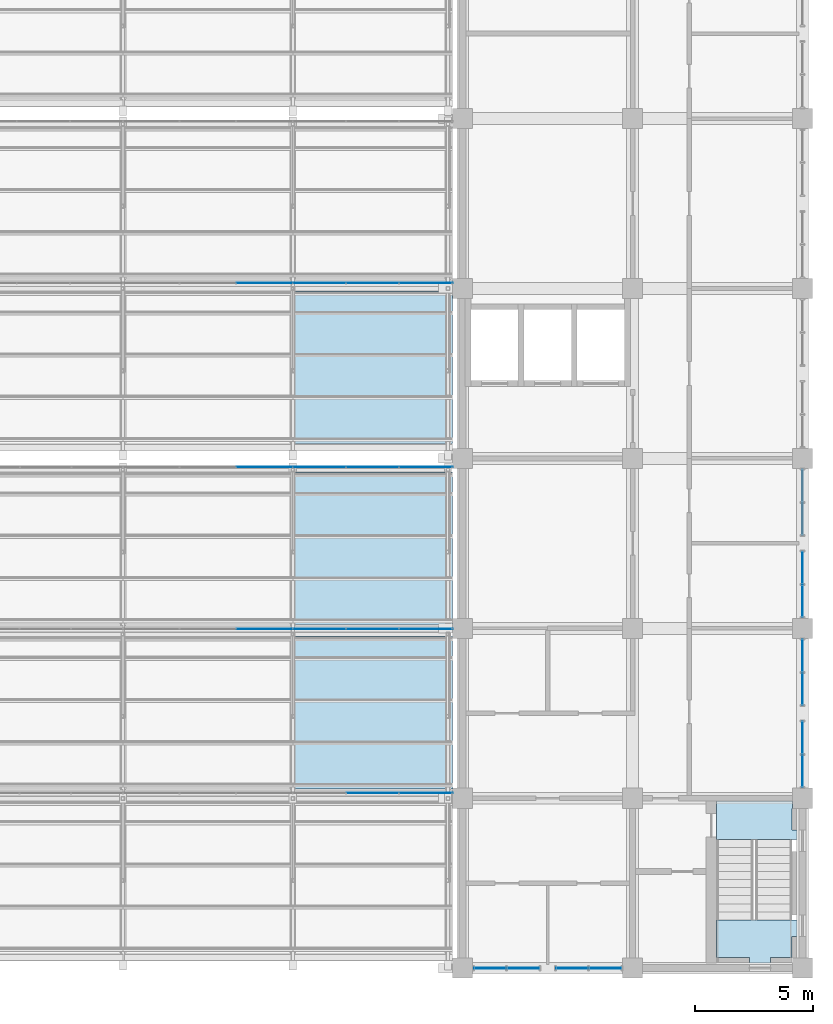
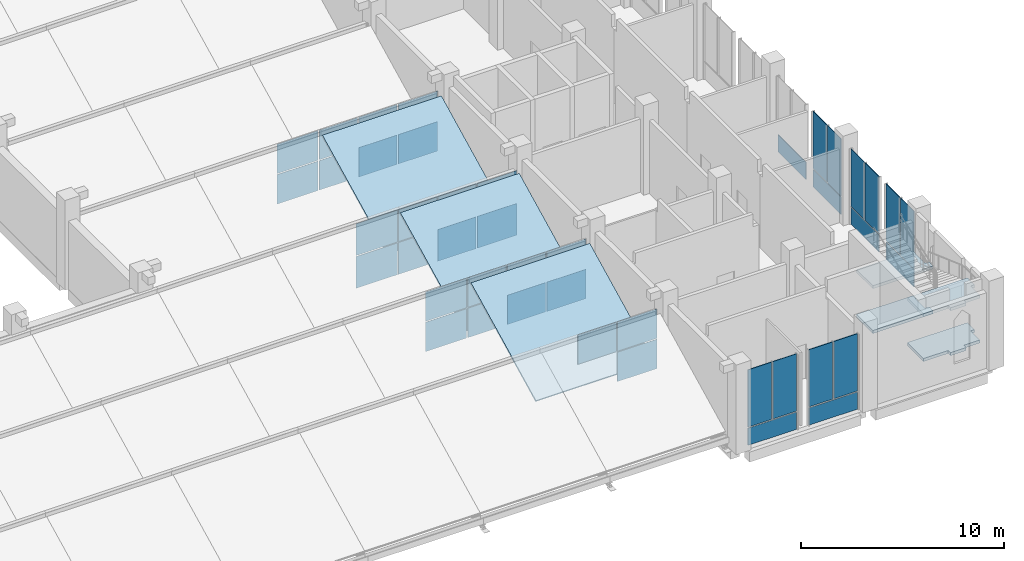
# One storey, part 66 of 83: 43 plates, 7 slabs, 14 elements without a shape of their own.
"""IFC4 building model written with IfcOpenShell, lengths in metres."""

from ifc_helpers import new_model, si_unit, direction, frame, origin, origin_2d, place, context, subcontext, project, spatial, polyline, rectangle, outline, extrude, material, layer, layer_set, type_object, element, aggregate, save


model = new_model("IFC4")

# Units and contexts
model_context = context("Model", 3, precision=1e-05, world=origin(), true_north=direction((0.0, 1.0)))
body_context = subcontext(model_context, "Body", "Model", "MODEL_VIEW")
ifc_project = project(units=[si_unit("LENGTHUNIT", "METRE"), si_unit("AREAUNIT", "SQUARE_METRE"), si_unit("VOLUMEUNIT", "CUBIC_METRE"), si_unit("PLANEANGLEUNIT", "RADIAN"), si_unit("MASSUNIT", "GRAM", prefix="KILO")], contexts=[model_context])

# Site, building, storey
site_placement = place(None, origin())
site = spatial("IfcSite", under=ifc_project, at=site_placement, CompositionType="ELEMENT")
building_placement = place(site_placement, origin())
building = spatial("IfcBuilding", under=site, at=building_placement, Name="Silangan Lancet Faculty of Sciences", CompositionType="ELEMENT")
storey_placement = place(building_placement, frame((0.0, 0.0, 11.39990234375)))
storey = spatial("IfcBuildingStorey", under=building, at=storey_placement, Name="L02", CompositionType="ELEMENT", Elevation=11.39990234375)

# Curtain wall, plates
ifc_material_1 = material(Name="Aluminium framed curtain wall with insulated glass", Category="aluminium")
curtain_wall_type_1 = type_object("IfcCurtainWallType", Name="CW1 Commons and east block glazing", PredefinedType="NOTDEFINED", material=ifc_material_1)
curtain_wall_1_placement = place(storey_placement, origin())
curtain_wall_1 = element("IfcCurtainWall", 1, at=curtain_wall_1_placement, inside=storey, type_object=curtain_wall_type_1, Name="CW1 East commons L02 bay 1", PredefinedType="NOTDEFINED")
ifc_material_2 = material(Name="Insulated glass unit 8+16+8 low-emissivity", Category="glass")
ifc_layer_1 = layer(ifc_material_2, 0.031982421875)
ifc_layer_set_1 = layer_set([ifc_layer_1], Name="Insulated glass unit 8+16+8 low-emissivity")
plate_type_1 = type_object("IfcPlateType", Name="CP1 Panel vision glass 32", PredefinedType="CURTAIN_PANEL", material=ifc_layer_set_1)
plate_1_placement = place(storey_placement, frame((86.39990234375, 8.358642578125, 1.10009765625), z_axis=(0.0, 0.0, 1.0), x_axis=(0.0, 1.0, 0.0)))
plate_1 = element("IfcPlate", 2, at=plate_1_placement, type_object=plate_type_1, Name="CW1 East commons L02 bay 1 panel 2", PredefinedType="CURTAIN_PANEL", context=body_context, shape_type="SweptSolid", body=[
    extrude(rectangle(XDim=1.347412109375, YDim=0.031982421875, at=origin_2d()), origin(), (0.0, 0.0, 1.0), 3.449951171875),
])
plate_2_placement = place(storey_placement, frame((86.39990234375, 9.766357421875, 1.10009765625), z_axis=(0.0, 0.0, 1.0), x_axis=(0.0, 1.0, 0.0)))
plate_2 = element("IfcPlate", 3, at=plate_2_placement, type_object=plate_type_1, Name="CW1 East commons L02 bay 1 panel 3", PredefinedType="CURTAIN_PANEL", context=body_context, shape_type="SweptSolid", body=[
    extrude(rectangle(XDim=1.347412109375, YDim=0.031982421875, at=origin_2d()), origin(), (0.0, 0.0, 1.0), 3.449951171875),
])

curtain_wall_2_placement = place(storey_placement, origin())
curtain_wall_2 = element("IfcCurtainWall", 4, at=curtain_wall_2_placement, inside=storey, type_object=curtain_wall_type_1, Name="CW1 East commons L02 bay 2", PredefinedType="NOTDEFINED")
plate_3_placement = place(storey_placement, frame((86.39990234375, 11.833740234375, 1.10009765625), z_axis=(0.0, 0.0, 1.0), x_axis=(0.0, 1.0, 0.0)))
plate_3 = element("IfcPlate", 5, at=plate_3_placement, type_object=plate_type_1, Name="CW1 East commons L02 bay 2 panel 2", PredefinedType="CURTAIN_PANEL", context=body_context, shape_type="SweptSolid", body=[
    extrude(rectangle(XDim=1.347412109375, YDim=0.031982421875, at=origin_2d()), origin(), (0.0, 0.0, 1.0), 3.449951171875),
])
plate_4_placement = place(storey_placement, frame((86.39990234375, 13.2412109375, 1.10009765625), z_axis=(0.0, 0.0, 1.0), x_axis=(0.0, 1.0, 0.0)))
plate_4 = element("IfcPlate", 6, at=plate_4_placement, type_object=plate_type_1, Name="CW1 East commons L02 bay 2 panel 3", PredefinedType="CURTAIN_PANEL", context=body_context, shape_type="SweptSolid", body=[
    extrude(rectangle(XDim=1.347412109375, YDim=0.031982421875, at=origin_2d()), origin(), (0.0, 0.0, 1.0), 3.449951171875),
])

curtain_wall_3_placement = place(storey_placement, origin())
curtain_wall_3 = element("IfcCurtainWall", 7, at=curtain_wall_3_placement, inside=storey, type_object=curtain_wall_type_1, Name="CW1 East commons L02 bay 3", PredefinedType="NOTDEFINED")
plate_5_placement = place(storey_placement, frame((86.39990234375, 15.558837890625, 1.10009765625), z_axis=(0.0, 0.0, 1.0), x_axis=(0.0, 1.0, 0.0)))
plate_5 = element("IfcPlate", 8, at=plate_5_placement, type_object=plate_type_1, Name="CW1 East commons L02 bay 3 panel 2", PredefinedType="CURTAIN_PANEL", context=body_context, shape_type="SweptSolid", body=[
    extrude(rectangle(XDim=1.347412109375, YDim=0.031982421875, at=origin_2d()), origin(), (0.0, 0.0, 1.0), 3.449951171875),
])
plate_6_placement = place(storey_placement, frame((86.39990234375, 16.96630859375, 1.10009765625), z_axis=(0.0, 0.0, 1.0), x_axis=(0.0, 1.0, 0.0)))
plate_6 = element("IfcPlate", 9, at=plate_6_placement, type_object=plate_type_1, Name="CW1 East commons L02 bay 3 panel 3", PredefinedType="CURTAIN_PANEL", context=body_context, shape_type="SweptSolid", body=[
    extrude(rectangle(XDim=1.347412109375, YDim=0.031982421875, at=origin_2d()), origin(), (0.0, 0.0, 1.0), 3.449951171875),
])

curtain_wall_4_placement = place(storey_placement, origin())
curtain_wall_4 = element("IfcCurtainWall", 10, at=curtain_wall_4_placement, inside=storey, type_object=curtain_wall_type_1, Name="CW1 East block south L02 bay 1", PredefinedType="NOTDEFINED")
plate_7_placement = place(storey_placement, frame((73.15869140625, 0.0, 1.10009765625), z_axis=(0.0, 0.0, 1.0), x_axis=(1.0, 0.0, 0.0)))
plate_7 = element("IfcPlate", 11, at=plate_7_placement, type_object=plate_type_1, Name="CW1 East block south L02 bay 1 panel 2", PredefinedType="CURTAIN_PANEL", context=body_context, shape_type="SweptSolid", body=[
    extrude(rectangle(XDim=1.34765625, YDim=0.031982421875, at=origin_2d()), origin(), (0.0, 0.0, 1.0), 3.449951171875),
])
plate_8_placement = place(storey_placement, frame((74.56640625, 0.0, 1.10009765625), z_axis=(0.0, 0.0, 1.0), x_axis=(1.0, 0.0, 0.0)))
plate_8 = element("IfcPlate", 12, at=plate_8_placement, type_object=plate_type_1, Name="CW1 East block south L02 bay 1 panel 3", PredefinedType="CURTAIN_PANEL", context=body_context, shape_type="SweptSolid", body=[
    extrude(rectangle(XDim=1.34765625, YDim=0.031982421875, at=origin_2d()), origin(), (0.0, 0.0, 1.0), 3.449951171875),
])

curtain_wall_5_placement = place(storey_placement, origin())
curtain_wall_5 = element("IfcCurtainWall", 13, at=curtain_wall_5_placement, inside=storey, type_object=curtain_wall_type_1, Name="CW1 East block south L02 bay 2", PredefinedType="NOTDEFINED")
plate_9_placement = place(storey_placement, frame((76.6337890625, 0.0, 1.10009765625), z_axis=(0.0, 0.0, 1.0), x_axis=(1.0, 0.0, 0.0)))
plate_9 = element("IfcPlate", 14, at=plate_9_placement, type_object=plate_type_1, Name="CW1 East block south L02 bay 2 panel 2", PredefinedType="CURTAIN_PANEL", context=body_context, shape_type="SweptSolid", body=[
    extrude(rectangle(XDim=1.347412109375, YDim=0.031982421875, at=origin_2d()), origin(), (0.0, 0.0, 1.0), 3.449951171875),
])
plate_10_placement = place(storey_placement, frame((78.041259765625, 0.0, 1.10009765625), z_axis=(0.0, 0.0, 1.0), x_axis=(1.0, 0.0, 0.0)))
plate_10 = element("IfcPlate", 15, at=plate_10_placement, type_object=plate_type_1, Name="CW1 East block south L02 bay 2 panel 3", PredefinedType="CURTAIN_PANEL", context=body_context, shape_type="SweptSolid", body=[
    extrude(rectangle(XDim=1.347412109375, YDim=0.031982421875, at=origin_2d()), origin(), (0.0, 0.0, 1.0), 3.449951171875),
])

# Plate
ifc_material_3 = material(Name="Laminated insulated glass unit 10.76+14+8", Category="glass")
ifc_layer_2 = layer(ifc_material_3, 0.035888671875)
ifc_layer_set_2 = layer_set([ifc_layer_2], Name="Laminated insulated glass unit 10.76+14+8")
plate_type_2 = type_object("IfcPlateType", Name="CP2 Panel laminated glass 36", PredefinedType="CURTAIN_PANEL", material=ifc_layer_set_2)
plate_11_placement = place(storey_placement, frame((86.39990234375, 9.0625, 0.0), z_axis=(0.0, 0.0, 1.0), x_axis=(0.0, 1.0, 0.0)))
plate_11 = element("IfcPlate", 16, at=plate_11_placement, type_object=plate_type_2, Name="CW1 East commons L02 bay 1 panel 1", PredefinedType="CURTAIN_PANEL", context=body_context, shape_type="SweptSolid", body=[
    extrude(rectangle(XDim=2.7548828125, YDim=0.035888671875, at=origin_2d()), origin(), (0.0, 0.0, 1.0), 1.0400390625),
])

aggregate(curtain_wall_1, [plate_11, plate_1, plate_2])

plate_12_placement = place(storey_placement, frame((86.39990234375, 12.53759765625, 0.0), z_axis=(0.0, 0.0, 1.0), x_axis=(0.0, 1.0, 0.0)))
plate_12 = element("IfcPlate", 17, at=plate_12_placement, type_object=plate_type_2, Name="CW1 East commons L02 bay 2 panel 1", PredefinedType="CURTAIN_PANEL", context=body_context, shape_type="SweptSolid", body=[
    extrude(rectangle(XDim=2.7548828125, YDim=0.035888671875, at=origin_2d()), origin(), (0.0, 0.0, 1.0), 1.0400390625),
])

aggregate(curtain_wall_2, [plate_12, plate_3, plate_4])

plate_13_placement = place(storey_placement, frame((86.39990234375, 16.262451171875, 0.0), z_axis=(0.0, 0.0, 1.0), x_axis=(0.0, 1.0, 0.0)))
plate_13 = element("IfcPlate", 18, at=plate_13_placement, type_object=plate_type_2, Name="CW1 East commons L02 bay 3 panel 1", PredefinedType="CURTAIN_PANEL", context=body_context, shape_type="SweptSolid", body=[
    extrude(rectangle(XDim=2.7548828125, YDim=0.035888671875, at=origin_2d()), origin(), (0.0, 0.0, 1.0), 1.0400390625),
])

aggregate(curtain_wall_3, [plate_13, plate_5, plate_6])

# Curtain wall, plate
curtain_wall_6_placement = place(storey_placement, origin())
curtain_wall_6 = element("IfcCurtainWall", 19, at=curtain_wall_6_placement, inside=storey, type_object=curtain_wall_type_1, Name="CW1 East commons L02 bay 4", PredefinedType="NOTDEFINED")
plate_14_placement = place(storey_placement, frame((86.39990234375, 19.737548828125, 0.0), z_axis=(0.0, 0.0, 1.0), x_axis=(0.0, 1.0, 0.0)))
plate_14 = element("IfcPlate", 20, at=plate_14_placement, type_object=plate_type_2, Name="CW1 East commons L02 bay 4 panel 1", PredefinedType="CURTAIN_PANEL", context=body_context, shape_type="SweptSolid", body=[
    extrude(rectangle(XDim=2.7548828125, YDim=0.035888671875, at=origin_2d()), origin(), (0.0, 0.0, 1.0), 1.0400390625),
])
aggregate(curtain_wall_6, [plate_14])

# Plate
plate_15_placement = place(storey_placement, frame((73.862548828125, 0.0, 0.0), z_axis=(0.0, 0.0, 1.0), x_axis=(1.0, 0.0, 0.0)))
plate_15 = element("IfcPlate", 21, at=plate_15_placement, type_object=plate_type_2, Name="CW1 East block south L02 bay 1 panel 1", PredefinedType="CURTAIN_PANEL", context=body_context, shape_type="SweptSolid", body=[
    extrude(rectangle(XDim=2.755126953125, YDim=0.035888671875, at=origin_2d()), origin(), (0.0, 0.0, 1.0), 1.0400390625),
])

aggregate(curtain_wall_4, [plate_15, plate_7, plate_8])

plate_16_placement = place(storey_placement, frame((77.337646484375, 0.0, 0.0), z_axis=(0.0, 0.0, 1.0), x_axis=(1.0, 0.0, 0.0)))
plate_16 = element("IfcPlate", 22, at=plate_16_placement, type_object=plate_type_2, Name="CW1 East block south L02 bay 2 panel 1", PredefinedType="CURTAIN_PANEL", context=body_context, shape_type="SweptSolid", body=[
    extrude(rectangle(XDim=2.7548828125, YDim=0.035888671875, at=origin_2d()), origin(), (0.0, 0.0, 1.0), 1.0400390625),
])

aggregate(curtain_wall_5, [plate_16, plate_9, plate_10])

# Curtain wall, plate
ifc_material_4 = material(Name="Aluminium and laminated glass", Category="aluminium")
curtain_wall_type_2 = type_object("IfcCurtainWallType", Name="North light glazing system", PredefinedType="NOTDEFINED", material=ifc_material_4)
curtain_wall_7_placement = place(storey_placement, origin())
curtain_wall_7 = element("IfcCurtainWall", 23, at=curtain_wall_7_placement, inside=storey, type_object=curtain_wall_type_2, Name="North light glazing SAB-1-6", PredefinedType="NOTDEFINED")
ifc_material_5 = material(Name="Laminated glass 12 + 12", Category="glass")
ifc_layer_3 = layer(ifc_material_5, 0.02392578125)
ifc_layer_set_3 = layer_set([ifc_layer_3], Name="Laminated glass 12 + 12")
plate_type_3 = type_object("IfcPlateType", Name="North light glass panel 2188x1768", PredefinedType="CURTAIN_PANEL", material=ifc_layer_set_3)
plate_17_placement = place(storey_placement, frame((67.078369140625, 7.40478515625, 2.2705078125), z_axis=(0.0, -1.0, 0.0), x_axis=(1.0, 0.0, 0.0)))
plate_17 = element("IfcPlate", 24, at=plate_17_placement, type_object=plate_type_3, Name="North light glass SAB-1-6 2-2", PredefinedType="CURTAIN_PANEL", context=body_context, shape_type="SweptSolid", body=[
    extrude(outline(polyline([(0.0, 0.0), (2.188232421875, 0.0), (2.188232421875, 1.767822265625), (0.0, 1.767822265625), (0.0, 0.0)])), origin(), (0.0, 0.0, -1.0), 0.02392578125),
])

# Curtain wall, plates
curtain_wall_8_placement = place(storey_placement, origin())
curtain_wall_8 = element("IfcCurtainWall", 25, at=curtain_wall_8_placement, inside=storey, type_object=curtain_wall_type_2, Name="North light glazing SAB-2-6", PredefinedType="NOTDEFINED")
plate_18_placement = place(storey_placement, frame((64.830078125, 14.3662109375, 0.4423828125), z_axis=(0.0, -1.0, 0.0), x_axis=(1.0, 0.0, 0.0)))
plate_18 = element("IfcPlate", 26, at=plate_18_placement, type_object=plate_type_3, Name="North light glass SAB-2-6 1-1", PredefinedType="CURTAIN_PANEL", context=body_context, shape_type="SweptSolid", body=[
    extrude(outline(polyline([(0.0, 0.0), (2.188232421875, 0.0), (2.188232421875, 1.76806640625), (0.0, 1.76806640625), (0.0, 0.0)])), origin(), (0.0, 0.0, -1.0), 0.02392578125),
])
plate_19_placement = place(storey_placement, frame((64.830078125, 14.3662109375, 2.2705078125), z_axis=(0.0, -1.0, 0.0), x_axis=(1.0, 0.0, 0.0)))
plate_19 = element("IfcPlate", 27, at=plate_19_placement, type_object=plate_type_3, Name="North light glass SAB-2-6 2-1", PredefinedType="CURTAIN_PANEL", context=body_context, shape_type="SweptSolid", body=[
    extrude(outline(polyline([(0.0, 0.0), (2.188232421875, 0.0), (2.188232421875, 1.767822265625), (0.0, 1.767822265625), (0.0, 0.0)])), origin(), (0.0, 0.0, -1.0), 0.02392578125),
])
plate_20_placement = place(storey_placement, frame((67.078369140625, 14.3662109375, 0.4423828125), z_axis=(0.0, -1.0, 0.0), x_axis=(1.0, 0.0, 0.0)))
plate_20 = element("IfcPlate", 28, at=plate_20_placement, type_object=plate_type_3, Name="North light glass SAB-2-6 1-2", PredefinedType="CURTAIN_PANEL", context=body_context, shape_type="SweptSolid", body=[
    extrude(outline(polyline([(0.0, 0.0), (2.188232421875, 0.0), (2.188232421875, 1.76806640625), (0.0, 1.76806640625), (0.0, 0.0)])), origin(), (0.0, 0.0, -1.0), 0.02392578125),
])
plate_21_placement = place(storey_placement, frame((67.078369140625, 14.3662109375, 2.2705078125), z_axis=(0.0, -1.0, 0.0), x_axis=(1.0, 0.0, 0.0)))
plate_21 = element("IfcPlate", 29, at=plate_21_placement, type_object=plate_type_3, Name="North light glass SAB-2-6 2-2", PredefinedType="CURTAIN_PANEL", context=body_context, shape_type="SweptSolid", body=[
    extrude(outline(polyline([(0.0, 0.0), (2.188232421875, 0.0), (2.188232421875, 1.767822265625), (0.0, 1.767822265625), (0.0, 0.0)])), origin(), (0.0, 0.0, -1.0), 0.02392578125),
])

curtain_wall_9_placement = place(storey_placement, origin())
curtain_wall_9 = element("IfcCurtainWall", 30, at=curtain_wall_9_placement, inside=storey, type_object=curtain_wall_type_2, Name="North light glazing AUD-1-3", PredefinedType="NOTDEFINED")
ifc_material_6 = material(Name="Laminated glass 12 + 12", Category="glass")
ifc_layer_4 = layer(ifc_material_6, 0.02392578125)
ifc_layer_set_4 = layer_set([ifc_layer_4], Name="Laminated glass 12 + 12")
plate_type_4 = type_object("IfcPlateType", Name="North light glass panel 2188x1771", PredefinedType="CURTAIN_PANEL", material=ifc_layer_set_4)
plate_22_placement = place(storey_placement, frame((64.830078125, 29.012939453125, 0.4423828125), z_axis=(0.0, -1.0, 0.0), x_axis=(1.0, 0.0, 0.0)))
plate_22 = element("IfcPlate", 31, at=plate_22_placement, type_object=plate_type_4, Name="North light glass AUD-1-3 1-1", PredefinedType="CURTAIN_PANEL", context=body_context, shape_type="SweptSolid", body=[
    extrude(outline(polyline([(0.0, 0.0), (2.188232421875, 0.0), (2.188232421875, 1.77099609375), (0.0, 1.77099609375), (0.0, 0.0)])), origin(), (0.0, 0.0, -1.0), 0.02392578125),
])
plate_23_placement = place(storey_placement, frame((64.830078125, 29.012939453125, 2.2734375), z_axis=(0.0, -1.0, 0.0), x_axis=(1.0, 0.0, 0.0)))
plate_23 = element("IfcPlate", 32, at=plate_23_placement, type_object=plate_type_4, Name="North light glass AUD-1-3 2-1", PredefinedType="CURTAIN_PANEL", context=body_context, shape_type="SweptSolid", body=[
    extrude(outline(polyline([(0.0, 0.0), (2.188232421875, 0.0), (2.188232421875, 1.77099609375), (0.0, 1.77099609375), (0.0, 0.0)])), origin(), (0.0, 0.0, -1.0), 0.02392578125),
])
plate_24_placement = place(storey_placement, frame((67.078369140625, 29.012939453125, 0.4423828125), z_axis=(0.0, -1.0, 0.0), x_axis=(1.0, 0.0, 0.0)))
plate_24 = element("IfcPlate", 33, at=plate_24_placement, type_object=plate_type_4, Name="North light glass AUD-1-3 1-2", PredefinedType="CURTAIN_PANEL", context=body_context, shape_type="SweptSolid", body=[
    extrude(outline(polyline([(0.0, 0.0), (2.188232421875, 0.0), (2.188232421875, 1.77099609375), (0.0, 1.77099609375), (0.0, 0.0)])), origin(), (0.0, 0.0, -1.0), 0.02392578125),
])
plate_25_placement = place(storey_placement, frame((67.078369140625, 29.012939453125, 2.2734375), z_axis=(0.0, -1.0, 0.0), x_axis=(1.0, 0.0, 0.0)))
plate_25 = element("IfcPlate", 34, at=plate_25_placement, type_object=plate_type_4, Name="North light glass AUD-1-3 2-2", PredefinedType="CURTAIN_PANEL", context=body_context, shape_type="SweptSolid", body=[
    extrude(outline(polyline([(0.0, 0.0), (2.188232421875, 0.0), (2.188232421875, 1.77099609375), (0.0, 1.77099609375), (0.0, 0.0)])), origin(), (0.0, 0.0, -1.0), 0.02392578125),
])

curtain_wall_10_placement = place(storey_placement, origin())
curtain_wall_10 = element("IfcCurtainWall", 35, at=curtain_wall_10_placement, inside=storey, type_object=curtain_wall_type_2, Name="North light glazing SAB-3-6", PredefinedType="NOTDEFINED")
ifc_material_7 = material(Name="Laminated glass 12 + 12", Category="glass")
ifc_layer_5 = layer(ifc_material_7, 0.02392578125)
ifc_layer_set_5 = layer_set([ifc_layer_5], Name="Laminated glass 12 + 12")
plate_type_5 = type_object("IfcPlateType", Name="North light glass panel 2188x1912", PredefinedType="CURTAIN_PANEL", material=ifc_layer_set_5)
plate_26_placement = place(storey_placement, frame((64.830078125, 21.218017578125, 0.10009765625), z_axis=(0.0, -1.0, 0.0), x_axis=(1.0, 0.0, 0.0)))
plate_26 = element("IfcPlate", 36, at=plate_26_placement, type_object=plate_type_5, Name="North light glass SAB-3-6 1-1", PredefinedType="CURTAIN_PANEL", context=body_context, shape_type="SweptSolid", body=[
    extrude(outline(polyline([(0.0, 0.0), (2.188232421875, 0.0), (2.188232421875, 1.912109375), (0.0, 1.912109375), (0.0, 0.0)])), origin(), (0.0, 0.0, -1.0), 0.02392578125),
])
plate_27_placement = place(storey_placement, frame((64.830078125, 21.218017578125, 2.072021484375), z_axis=(0.0, -1.0, 0.0), x_axis=(1.0, 0.0, 0.0)))
plate_27 = element("IfcPlate", 37, at=plate_27_placement, type_object=plate_type_5, Name="North light glass SAB-3-6 2-1", PredefinedType="CURTAIN_PANEL", context=body_context, shape_type="SweptSolid", body=[
    extrude(outline(polyline([(0.0, 0.0), (2.188232421875, 0.0), (2.188232421875, 1.912109375), (0.0, 1.912109375), (0.0, 0.0)])), origin(), (0.0, 0.0, -1.0), 0.02392578125),
])
plate_28_placement = place(storey_placement, frame((67.078369140625, 21.218017578125, 0.10009765625), z_axis=(0.0, -1.0, 0.0), x_axis=(1.0, 0.0, 0.0)))
plate_28 = element("IfcPlate", 38, at=plate_28_placement, type_object=plate_type_5, Name="North light glass SAB-3-6 1-2", PredefinedType="CURTAIN_PANEL", context=body_context, shape_type="SweptSolid", body=[
    extrude(outline(polyline([(0.0, 0.0), (2.188232421875, 0.0), (2.188232421875, 1.912109375), (0.0, 1.912109375), (0.0, 0.0)])), origin(), (0.0, 0.0, -1.0), 0.02392578125),
])
plate_29_placement = place(storey_placement, frame((67.078369140625, 21.218017578125, 2.072021484375), z_axis=(0.0, -1.0, 0.0), x_axis=(1.0, 0.0, 0.0)))
plate_29 = element("IfcPlate", 39, at=plate_29_placement, type_object=plate_type_5, Name="North light glass SAB-3-6 2-2", PredefinedType="CURTAIN_PANEL", context=body_context, shape_type="SweptSolid", body=[
    extrude(outline(polyline([(0.0, 0.0), (2.188232421875, 0.0), (2.188232421875, 1.912109375), (0.0, 1.912109375), (0.0, 0.0)])), origin(), (0.0, 0.0, -1.0), 0.02392578125),
])

# Plate
ifc_material_8 = material(Name="Laminated glass 12 + 12", Category="glass")
ifc_layer_6 = layer(ifc_material_8, 0.02392578125)
ifc_layer_set_6 = layer_set([ifc_layer_6], Name="Laminated glass 12 + 12")
plate_type_6 = type_object("IfcPlateType", Name="North light glass panel 2248x1768", PredefinedType="CURTAIN_PANEL", material=ifc_layer_set_6)
plate_30_placement = place(storey_placement, frame((69.32666015625, 7.40478515625, 0.4423828125), z_axis=(0.0, -1.0, 0.0), x_axis=(1.0, 0.0, 0.0)))
plate_30 = element("IfcPlate", 40, at=plate_30_placement, type_object=plate_type_6, Name="North light glass SAB-1-6 1-3", PredefinedType="CURTAIN_PANEL", context=body_context, shape_type="SweptSolid", body=[
    extrude(outline(polyline([(0.0, 0.0), (2.248291015625, 0.0), (2.248291015625, 1.76806640625), (0.0, 1.76806640625), (0.0, 0.0)])), origin(), (0.0, 0.0, -1.0), 0.02392578125),
])

plate_31_placement = place(storey_placement, frame((69.32666015625, 7.40478515625, 2.2705078125), z_axis=(0.0, -1.0, 0.0), x_axis=(1.0, 0.0, 0.0)))
plate_31 = element("IfcPlate", 41, at=plate_31_placement, type_object=plate_type_6, Name="North light glass SAB-1-6 2-3", PredefinedType="CURTAIN_PANEL", context=body_context, shape_type="SweptSolid", body=[
    extrude(outline(polyline([(0.0, 0.0), (2.248291015625, 0.0), (2.248291015625, 1.767822265625), (0.0, 1.767822265625), (0.0, 0.0)])), origin(), (0.0, 0.0, -1.0), 0.02392578125),
])

aggregate(curtain_wall_7, [plate_17, plate_30, plate_31])

plate_32_placement = place(storey_placement, frame((69.32666015625, 14.3662109375, 0.4423828125), z_axis=(0.0, -1.0, 0.0), x_axis=(1.0, 0.0, 0.0)))
plate_32 = element("IfcPlate", 42, at=plate_32_placement, type_object=plate_type_6, Name="North light glass SAB-2-6 1-3", PredefinedType="CURTAIN_PANEL", context=body_context, shape_type="SweptSolid", body=[
    extrude(outline(polyline([(0.0, 0.0), (2.248291015625, 0.0), (2.248291015625, 1.76806640625), (0.0, 1.76806640625), (0.0, 0.0)])), origin(), (0.0, 0.0, -1.0), 0.02392578125),
])

plate_33_placement = place(storey_placement, frame((69.32666015625, 14.3662109375, 2.2705078125), z_axis=(0.0, -1.0, 0.0), x_axis=(1.0, 0.0, 0.0)))
plate_33 = element("IfcPlate", 43, at=plate_33_placement, type_object=plate_type_6, Name="North light glass SAB-2-6 2-3", PredefinedType="CURTAIN_PANEL", context=body_context, shape_type="SweptSolid", body=[
    extrude(outline(polyline([(0.0, 0.0), (2.248291015625, 0.0), (2.248291015625, 1.767822265625), (0.0, 1.767822265625), (0.0, 0.0)])), origin(), (0.0, 0.0, -1.0), 0.02392578125),
])

aggregate(curtain_wall_8, [plate_18, plate_19, plate_20, plate_21, plate_32, plate_33])

ifc_material_9 = material(Name="Laminated glass 12 + 12", Category="glass")
ifc_layer_7 = layer(ifc_material_9, 0.02392578125)
ifc_layer_set_7 = layer_set([ifc_layer_7], Name="Laminated glass 12 + 12")
plate_type_7 = type_object("IfcPlateType", Name="North light glass panel 2248x1771", PredefinedType="CURTAIN_PANEL", material=ifc_layer_set_7)
plate_34_placement = place(storey_placement, frame((69.32666015625, 29.012939453125, 0.4423828125), z_axis=(0.0, -1.0, 0.0), x_axis=(1.0, 0.0, 0.0)))
plate_34 = element("IfcPlate", 44, at=plate_34_placement, type_object=plate_type_7, Name="North light glass AUD-1-3 1-3", PredefinedType="CURTAIN_PANEL", context=body_context, shape_type="SweptSolid", body=[
    extrude(outline(polyline([(0.0, 0.0), (2.248291015625, 0.0), (2.248291015625, 1.77099609375), (0.0, 1.77099609375), (0.0, 0.0)])), origin(), (0.0, 0.0, -1.0), 0.02392578125),
])

plate_35_placement = place(storey_placement, frame((69.32666015625, 29.012939453125, 2.2734375), z_axis=(0.0, -1.0, 0.0), x_axis=(1.0, 0.0, 0.0)))
plate_35 = element("IfcPlate", 45, at=plate_35_placement, type_object=plate_type_7, Name="North light glass AUD-1-3 2-3", PredefinedType="CURTAIN_PANEL", context=body_context, shape_type="SweptSolid", body=[
    extrude(outline(polyline([(0.0, 0.0), (2.248291015625, 0.0), (2.248291015625, 1.77099609375), (0.0, 1.77099609375), (0.0, 0.0)])), origin(), (0.0, 0.0, -1.0), 0.02392578125),
])

aggregate(curtain_wall_9, [plate_22, plate_23, plate_24, plate_25, plate_34, plate_35])

ifc_material_10 = material(Name="Laminated glass 12 + 12", Category="glass")
ifc_layer_8 = layer(ifc_material_10, 0.02392578125)
ifc_layer_set_8 = layer_set([ifc_layer_8], Name="Laminated glass 12 + 12")
plate_type_8 = type_object("IfcPlateType", Name="North light glass panel 2248x1912", PredefinedType="CURTAIN_PANEL", material=ifc_layer_set_8)
plate_36_placement = place(storey_placement, frame((69.32666015625, 21.218017578125, 0.10009765625), z_axis=(0.0, -1.0, 0.0), x_axis=(1.0, 0.0, 0.0)))
plate_36 = element("IfcPlate", 46, at=plate_36_placement, type_object=plate_type_8, Name="North light glass SAB-3-6 1-3", PredefinedType="CURTAIN_PANEL", context=body_context, shape_type="SweptSolid", body=[
    extrude(outline(polyline([(0.0, 0.0), (2.248291015625, 0.0), (2.248291015625, 1.912109375), (0.0, 1.912109375), (0.0, 0.0)])), origin(), (0.0, 0.0, -1.0), 0.02392578125),
])

plate_37_placement = place(storey_placement, frame((69.32666015625, 21.218017578125, 2.072021484375), z_axis=(0.0, -1.0, 0.0), x_axis=(1.0, 0.0, 0.0)))
plate_37 = element("IfcPlate", 47, at=plate_37_placement, type_object=plate_type_8, Name="North light glass SAB-3-6 2-3", PredefinedType="CURTAIN_PANEL", context=body_context, shape_type="SweptSolid", body=[
    extrude(outline(polyline([(0.0, 0.0), (2.248291015625, 0.0), (2.248291015625, 1.912109375), (0.0, 1.912109375), (0.0, 0.0)])), origin(), (0.0, 0.0, -1.0), 0.02392578125),
])

aggregate(curtain_wall_10, [plate_26, plate_27, plate_28, plate_29, plate_36, plate_37])

# Curtain wall, plates
curtain_wall_11_placement = place(storey_placement, origin())
curtain_wall_11 = element("IfcCurtainWall", 48, at=curtain_wall_11_placement, inside=storey, type_object=curtain_wall_type_2, Name="North light glazing SAB-2-5", PredefinedType="NOTDEFINED")
ifc_material_11 = material(Name="Laminated glass 12 + 12", Category="glass")
ifc_layer_9 = layer(ifc_material_11, 0.02392578125)
ifc_layer_set_9 = layer_set([ifc_layer_9], Name="Laminated glass 12 + 12")
plate_type_9 = type_object("IfcPlateType", Name="North light glass panel 2340x1768", PredefinedType="CURTAIN_PANEL", material=ifc_layer_set_9)
plate_38_placement = place(storey_placement, frame((62.429931640625, 14.3662109375, 0.4423828125), z_axis=(0.0, -1.0, 0.0), x_axis=(1.0, 0.0, 0.0)))
plate_38 = element("IfcPlate", 49, at=plate_38_placement, type_object=plate_type_9, Name="North light glass SAB-2-5 1-3", PredefinedType="CURTAIN_PANEL", context=body_context, shape_type="SweptSolid", body=[
    extrude(outline(polyline([(0.0, 0.0), (2.340087890625, 0.0), (2.340087890625, 1.76806640625), (0.0, 1.76806640625), (0.0, 0.0)])), origin(), (0.0, 0.0, -1.0), 0.02392578125),
])
plate_39_placement = place(storey_placement, frame((62.429931640625, 14.3662109375, 2.2705078125), z_axis=(0.0, -1.0, 0.0), x_axis=(1.0, 0.0, 0.0)))
plate_39 = element("IfcPlate", 50, at=plate_39_placement, type_object=plate_type_9, Name="North light glass SAB-2-5 2-3", PredefinedType="CURTAIN_PANEL", context=body_context, shape_type="SweptSolid", body=[
    extrude(outline(polyline([(0.0, 0.0), (2.340087890625, 0.0), (2.340087890625, 1.767822265625), (0.0, 1.767822265625), (0.0, 0.0)])), origin(), (0.0, 0.0, -1.0), 0.02392578125),
])
aggregate(curtain_wall_11, [plate_38, plate_39])

curtain_wall_12_placement = place(storey_placement, origin())
curtain_wall_12 = element("IfcCurtainWall", 51, at=curtain_wall_12_placement, inside=storey, type_object=curtain_wall_type_2, Name="North light glazing AUD-1-2", PredefinedType="NOTDEFINED")
ifc_material_12 = material(Name="Laminated glass 12 + 12", Category="glass")
ifc_layer_10 = layer(ifc_material_12, 0.02392578125)
ifc_layer_set_10 = layer_set([ifc_layer_10], Name="Laminated glass 12 + 12")
plate_type_10 = type_object("IfcPlateType", Name="North light glass panel 2340x1771", PredefinedType="CURTAIN_PANEL", material=ifc_layer_set_10)
plate_40_placement = place(storey_placement, frame((62.429931640625, 29.012939453125, 0.4423828125), z_axis=(0.0, -1.0, 0.0), x_axis=(1.0, 0.0, 0.0)))
plate_40 = element("IfcPlate", 52, at=plate_40_placement, type_object=plate_type_10, Name="North light glass AUD-1-2 1-3", PredefinedType="CURTAIN_PANEL", context=body_context, shape_type="SweptSolid", body=[
    extrude(outline(polyline([(0.0, 0.0), (2.340087890625, 0.0), (2.340087890625, 1.77099609375), (0.0, 1.77099609375), (0.0, 0.0)])), origin(), (0.0, 0.0, -1.0), 0.02392578125),
])
plate_41_placement = place(storey_placement, frame((62.429931640625, 29.012939453125, 2.2734375), z_axis=(0.0, -1.0, 0.0), x_axis=(1.0, 0.0, 0.0)))
plate_41 = element("IfcPlate", 53, at=plate_41_placement, type_object=plate_type_10, Name="North light glass AUD-1-2 2-3", PredefinedType="CURTAIN_PANEL", context=body_context, shape_type="SweptSolid", body=[
    extrude(outline(polyline([(0.0, 0.0), (2.340087890625, 0.0), (2.340087890625, 1.77099609375), (0.0, 1.77099609375), (0.0, 0.0)])), origin(), (0.0, 0.0, -1.0), 0.02392578125),
])
aggregate(curtain_wall_12, [plate_40, plate_41])

curtain_wall_13_placement = place(storey_placement, origin())
curtain_wall_13 = element("IfcCurtainWall", 54, at=curtain_wall_13_placement, inside=storey, type_object=curtain_wall_type_2, Name="North light glazing SAB-3-5", PredefinedType="NOTDEFINED")
ifc_material_13 = material(Name="Laminated glass 12 + 12", Category="glass")
ifc_layer_11 = layer(ifc_material_13, 0.02392578125)
ifc_layer_set_11 = layer_set([ifc_layer_11], Name="Laminated glass 12 + 12")
plate_type_11 = type_object("IfcPlateType", Name="North light glass panel 2340x1912", PredefinedType="CURTAIN_PANEL", material=ifc_layer_set_11)
plate_42_placement = place(storey_placement, frame((62.429931640625, 21.218017578125, 0.10009765625), z_axis=(0.0, -1.0, 0.0), x_axis=(1.0, 0.0, 0.0)))
plate_42 = element("IfcPlate", 55, at=plate_42_placement, type_object=plate_type_11, Name="North light glass SAB-3-5 1-3", PredefinedType="CURTAIN_PANEL", context=body_context, shape_type="SweptSolid", body=[
    extrude(outline(polyline([(0.0, 0.0), (2.340087890625, 0.0), (2.340087890625, 1.912109375), (0.0, 1.912109375), (0.0, 0.0)])), origin(), (0.0, 0.0, -1.0), 0.02392578125),
])
plate_43_placement = place(storey_placement, frame((62.429931640625, 21.218017578125, 2.072021484375), z_axis=(0.0, -1.0, 0.0), x_axis=(1.0, 0.0, 0.0)))
plate_43 = element("IfcPlate", 56, at=plate_43_placement, type_object=plate_type_11, Name="North light glass SAB-3-5 2-3", PredefinedType="CURTAIN_PANEL", context=body_context, shape_type="SweptSolid", body=[
    extrude(outline(polyline([(0.0, 0.0), (2.340087890625, 0.0), (2.340087890625, 1.912109375), (0.0, 1.912109375), (0.0, 0.0)])), origin(), (0.0, 0.0, -1.0), 0.02392578125),
])
aggregate(curtain_wall_13, [plate_42, plate_43])

# Slabs
ifc_material_14 = material(Name="Insulated cold-formed steel roof sheeting", Category="steel")
ifc_layer_12 = layer(ifc_material_14, 0.10009765625)
ifc_layer_set_12 = layer_set([ifc_layer_12], Name="Insulated cold-formed steel roof sheeting")
slab_type_1 = type_object("IfcSlabType", Name="Roof sheeting panel 100", PredefinedType="ROOF", material=ifc_layer_set_12)
slab_1_placement = place(storey_placement, frame((64.800048828125, 7.591796875, 0.770263671875), z_axis=(0.0, -0.447227207599, 0.894420384821), x_axis=(1.0, 0.0, 0.0)))
element("IfcSlab", 57, at=slab_1_placement, inside=storey, type_object=slab_type_1, Name="Roof sheeting SAB-2-6", PredefinedType="ROOF", context=body_context, shape_type="SweptSolid", body=[
    extrude(outline(polyline([(0.0, 0.0), (6.77490234375, 0.0), (6.77490234375, 7.17419700598493), (0.0, 7.17419700598493), (0.0, 0.0)])), origin(), (0.0, 0.0, -1.0), 0.10009765625),
])
slab_2_placement = place(storey_placement, frame((64.800048828125, 14.55322265625, 0.770263671875), z_axis=(0.0, -0.4472135955, 0.894427191), x_axis=(1.0, 0.0, 0.0)))
element("IfcSlab", 58, at=slab_2_placement, inside=storey, type_object=slab_type_1, Name="Roof sheeting SAB-3-6", PredefinedType="ROOF", context=body_context, shape_type="SweptSolid", body=[
    extrude(outline(polyline([(0.0, 0.0), (6.77490234375, 0.0), (6.77490234375, 7.174415371167538), (0.0, 7.174415371167538), (0.0, 0.0)])), origin(), (0.0, 0.0, -1.0), 0.10009765625),
])
slab_3_placement = place(storey_placement, frame((64.800048828125, 22.22998046875, 0.770263671875), z_axis=(0.0, -0.4472135955, 0.894427191), x_axis=(1.0, 0.0, 0.0)))
element("IfcSlab", 59, at=slab_3_placement, inside=storey, type_object=slab_type_1, Name="Roof sheeting AUD-1-3", PredefinedType="ROOF", context=body_context, shape_type="SweptSolid", body=[
    extrude(outline(polyline([(0.0, 0.0), (6.77490234375, 0.0), (6.77490234375, 7.183695926738216), (0.0, 7.183695926738216), (0.0, 0.0)])), origin(), (0.0, 0.0, -1.0), 0.10009765625),
])

# Stair, slabs
ifc_material_15 = material(Name="Concrete C40/50", Category="concrete")
stair_type = type_object("IfcStairType", Name="TURRET STAIR 1550 FOUR-FLIGHT", PredefinedType="DOUBLE_RETURN_STAIR", material=ifc_material_15)
stair_placement = place(storey_placement, origin())
stair = element("IfcStair", 60, at=stair_placement, inside=storey, type_object=stair_type, Name="EB-A stair L02", PredefinedType="DOUBLE_RETURN_STAIR")
ifc_material_16 = material(Name="Concrete C40/50", Category="concrete")
ifc_layer_13 = layer(ifc_material_16, 0.179931640625)
ifc_layer_set_13 = layer_set([ifc_layer_13], Name="Concrete C40/50")
slab_type_2 = type_object("IfcSlabType", Name="TURRET STAIR LANDING RC 180", PredefinedType="LANDING", material=ifc_layer_set_13)
slab_4_placement = place(storey_placement, frame((0.0, 0.0, -0.179931640625)))
slab_4 = element("IfcSlab", 61, at=slab_4_placement, type_object=slab_type_2, Name="STR9 landing 1", PredefinedType="LANDING", context=body_context, shape_type="SweptSolid", body=[
    extrude(outline(polyline([(85.949951171875, 6.77490234375), (85.949951171875, 5.85009765625), (86.175048828125, 5.85009765625), (86.175048828125, 5.449951171875), (82.75, 5.449951171875), (82.75, 7.074951171875), (85.97509765625, 7.074951171875), (85.97509765625, 6.77490234375), (85.949951171875, 6.77490234375)])), origin(), (0.0, 0.0, 1.0), 0.179931640625),
])
slab_5_placement = place(storey_placement, frame((0.0, 0.0, 1.170166015625)))
slab_5 = element("IfcSlab", 62, at=slab_5_placement, type_object=slab_type_2, Name="STR9 landing 2", PredefinedType="LANDING", context=body_context, shape_type="SweptSolid", body=[
    extrude(outline(polyline([(85.949951171875, 0.449951171875), (85.050048828125, 0.449951171875), (85.050048828125, 0.22509765625), (84.14990234375, 0.22509765625), (84.14990234375, 0.449951171875), (82.75, 0.449951171875), (82.75, 2.050048828125), (86.175048828125, 2.050048828125), (86.175048828125, 1.35009765625), (85.949951171875, 1.35009765625), (85.949951171875, 0.449951171875)])), origin(), (0.0, 0.0, 1.0), 0.179931640625),
])
slab_6_placement = place(storey_placement, frame((0.0, 0.0, 2.52001953125)))
slab_6 = element("IfcSlab", 63, at=slab_6_placement, type_object=slab_type_2, Name="STR9 landing 3", PredefinedType="LANDING", context=body_context, shape_type="SweptSolid", body=[
    extrude(outline(polyline([(85.949951171875, 6.77490234375), (85.949951171875, 5.85009765625), (86.175048828125, 5.85009765625), (86.175048828125, 5.449951171875), (82.75, 5.449951171875), (82.75, 7.074951171875), (85.97509765625, 7.074951171875), (85.97509765625, 6.77490234375), (85.949951171875, 6.77490234375)])), origin(), (0.0, 0.0, 1.0), 0.18017578125),
])
slab_7_placement = place(storey_placement, frame((0.0, 0.0, 3.8701171875)))
slab_7 = element("IfcSlab", 64, at=slab_7_placement, type_object=slab_type_2, Name="STR9 landing 4", PredefinedType="LANDING", context=body_context, shape_type="SweptSolid", body=[
    extrude(outline(polyline([(85.949951171875, 0.449951171875), (85.050048828125, 0.449951171875), (85.050048828125, 0.22509765625), (84.14990234375, 0.22509765625), (84.14990234375, 0.449951171875), (82.75, 0.449951171875), (82.75, 2.050048828125), (86.175048828125, 2.050048828125), (86.175048828125, 1.35009765625), (85.949951171875, 1.35009765625), (85.949951171875, 0.449951171875)])), origin(), (0.0, 0.0, 1.0), 0.179931640625),
])
aggregate(stair, [slab_4, slab_5, slab_6, slab_7])

save(model, "model.ifc")
